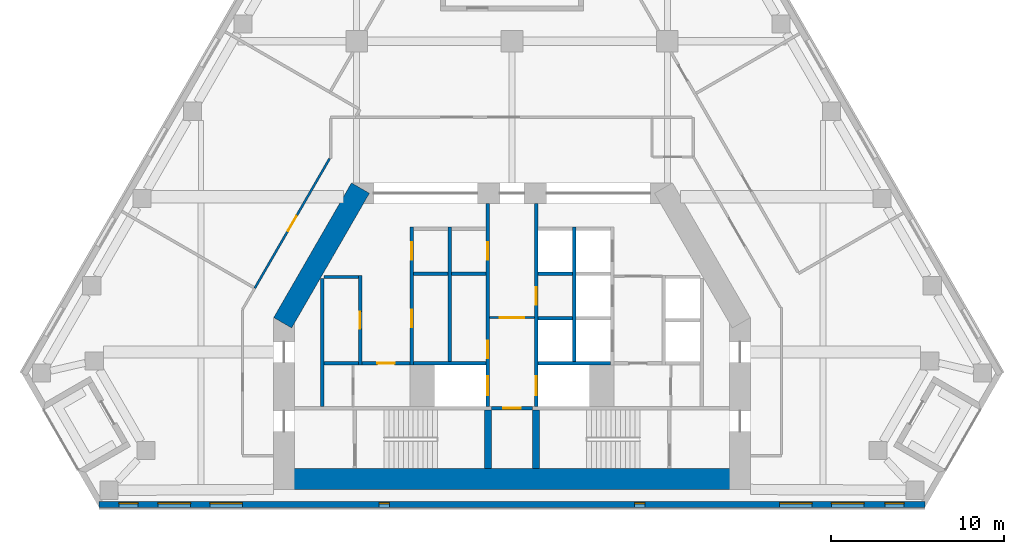
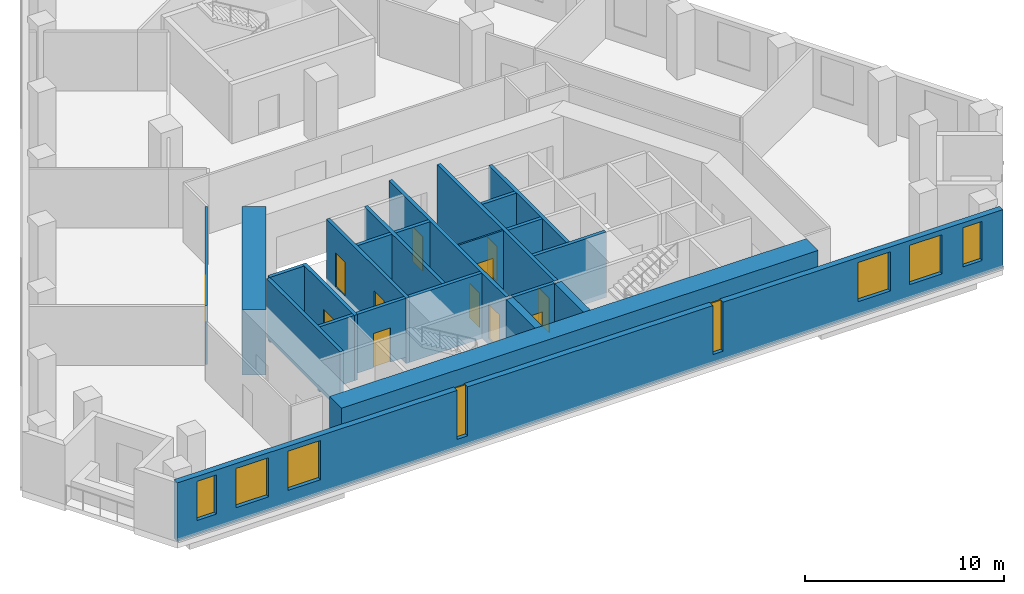
# One storey, part 3 of 7: 24 walls, 12 doors, 8 windows, 20 openings.
"""IFC4 building model written with IfcOpenShell, lengths in metres."""

from ifc_helpers import new_model, si_unit, direction, frame, frame_2d, origin, place, context, subcontext, project, spatial, rectangle, extrude, material, layer, layer_set, type_object, element, fill, save


model = new_model("IFC4")

# Units and contexts
model_context = context("Model", 3, precision=1e-05, world=origin(), true_north=direction((0.0, 1.0)))
body_context = subcontext(model_context, "Body", "Model", "MODEL_VIEW")
ifc_project = project(units=[si_unit("LENGTHUNIT", "METRE"), si_unit("AREAUNIT", "SQUARE_METRE"), si_unit("VOLUMEUNIT", "CUBIC_METRE"), si_unit("PLANEANGLEUNIT", "RADIAN"), si_unit("MASSUNIT", "GRAM", prefix="KILO")], contexts=[model_context])

# Site, building, storey
site_placement = place(None, origin())
site = spatial("IfcSite", under=ifc_project, at=site_placement, CompositionType="ELEMENT")
building_placement = place(site_placement, origin())
building = spatial("IfcBuilding", under=site, at=building_placement, Name="Fogline Exchange Tower", CompositionType="ELEMENT")
storey_placement = place(building_placement, frame((0.0, 0.0, 170.89990234375)))
storey = spatial("IfcBuildingStorey", under=building, at=storey_placement, Name="L38", CompositionType="ELEMENT", Elevation=170.89990234375)

# Wall, opening, door
ifc_material_1 = material(Name="Blockwork partition", Category="masonry")
ifc_layer_1 = layer(ifc_material_1, 0.10009765625)
ifc_layer_set_1 = layer_set([ifc_layer_1], Name="CW10")
wall_type_1 = type_object("IfcWallType", Name="CW10", PredefinedType="PARTITIONING", material=ifc_layer_set_1)
wall_1_placement = place(storey_placement, frame((-1.300048828125, 11.0, 0.0), z_axis=(0.0, 0.0, 1.0), x_axis=(1.0, 0.0, 0.0)))
wall_1 = element("IfcWall", 1, at=wall_1_placement, inside=storey, type_object=wall_type_1, Name="Lift lobby partition", PredefinedType="PARTITIONING", context=body_context, shape_type="SweptSolid", body=[
    extrude(rectangle(XDim=2.60009765625, YDim=0.10009765625, at=frame_2d((1.300048828125, 0.0))), origin(), (0.0, 0.0, 1.0), 3.60009765625),
])
opening_1_placement = place(wall_1_placement, frame((0.60009765625, 0.0, 0.0)))
opening_1 = element("IfcOpeningElement", 2, at=opening_1_placement, cuts=wall_1, Name="Opening T12-C019", PredefinedType="OPENING", context=body_context, shape_type="SweptSolid", body=[
    extrude(rectangle(XDim=1.39990234375, YDim=2.10009765625, at=frame_2d((0.699951171875, 1.050048828125))), frame((0.0, 0.06005859375, 0.0), z_axis=(0.0, -1.0, 0.0), x_axis=(1.0, 0.0, 0.0)), (0.0, 0.0, 1.0), 0.1201171875),
])
ifc_material_2 = material(Name="Steel and timber fire door", Category="steel")
door_type_1 = type_object("IfcDoorType", Name="D-LB1", OperationType="DOUBLE_DOOR_SINGLE_SWING", PredefinedType="DOOR", material=ifc_material_2)
door_1_placement = place(opening_1_placement, frame((1.39990234375, 0.0, 0.0), z_axis=(0.0, 0.0, 1.0), x_axis=(-1.0, 0.0, 0.0)))
door_1 = element("IfcDoor", 3, at=door_1_placement, inside=storey, type_object=door_type_1, Name="Door to firefighting lift lobby", OperationType="DOUBLE_DOOR_SINGLE_SWING", OverallHeight=2.10009765625, OverallWidth=1.39990234375, PredefinedType="DOOR", context=body_context, shape_type="SweptSolid", body=[
    extrude(rectangle(XDim=1.39990234375, YDim=2.10009765625, at=frame_2d((0.699951171875, 1.050048828125))), frame((0.0, 0.02490234375, 0.0), z_axis=(0.0, -1.0, 0.0), x_axis=(1.0, 0.0, 0.0)), (0.0, 0.0, 1.0), 0.050048828125),
])
fill(opening_1, door_1)

# Walls
ifc_material_3 = material(Name="Concrete C40", Category="concrete")
ifc_layer_2 = layer(ifc_material_3, 0.199951171875)
ifc_layer_set_2 = layer_set([ifc_layer_2], Name="CW20")
wall_type_2 = type_object("IfcWallType", Name="CW20", PredefinedType="SOLIDWALL", material=ifc_layer_set_2)
wall_2_placement = place(storey_placement, frame((-11.0, 5.85009765625, 0.0), z_axis=(0.0, 0.0, 1.0), x_axis=(0.0, 1.0, 0.0)))
element("IfcWall", 4, at=wall_2_placement, inside=storey, type_object=wall_type_2, Name="Service room wall", PredefinedType="SOLIDWALL", context=body_context, shape_type="SweptSolid", body=[
    extrude(rectangle(XDim=7.39990234375, YDim=0.199951171875, at=frame_2d((3.699951171875, 0.0))), origin(), (0.0, 0.0, 1.0), 3.60009765625),
])
for number, where, z_axis, x_axis, name in (
    (5, (-5.699951171875, 13.550048828125, 0.0), (0.0, 0.0, 1.0), (1.0, 0.0, 0.0), "Service room wall"),
    (6, (-3.5, 13.550048828125, 0.0), (0.0, 0.0, 1.0), (1.0, 0.0, 0.0), "Service room wall"),
):
    element("IfcWall", number, at=place(storey_placement, frame(where, z_axis=z_axis, x_axis=x_axis)), inside=storey, type_object=wall_type_2, Name=name, PredefinedType="SOLIDWALL", context=body_context, shape_type="SweptSolid", body=[
        extrude(rectangle(XDim=2.0, YDim=0.199951171875, at=frame_2d((1.0, 0.0))), origin(), (0.0, 0.0, 1.0), 3.60009765625),
    ])

# Wall, opening, door
wall_3_placement = place(storey_placement, frame((-8.699951171875, 8.35009765625, 0.0), z_axis=(0.0, 0.0, 1.0), x_axis=(1.0, 0.0, 0.0)))
wall_3 = element("IfcWall", 7, at=wall_3_placement, inside=storey, type_object=wall_type_2, Name="WC wall", PredefinedType="SOLIDWALL", context=body_context, shape_type="SweptSolid", body=[
    extrude(rectangle(XDim=2.800048828125, YDim=0.199951171875, at=frame_2d((1.39990234375, 0.0))), origin(), (0.0, 0.0, 1.0), 3.60009765625),
])
opening_2_placement = place(wall_3_placement, frame((0.89990234375, 0.0, 0.0)))
opening_2 = element("IfcOpeningElement", 8, at=opening_2_placement, cuts=wall_3, Name="Opening T12-C008", PredefinedType="OPENING", context=body_context, shape_type="SweptSolid", body=[
    extrude(rectangle(XDim=1.0, YDim=2.10009765625, at=frame_2d((0.5, 1.050048828125))), frame((0.0, 0.10986328125, 0.0), z_axis=(0.0, -1.0, 0.0), x_axis=(1.0, 0.0, 0.0)), (0.0, 0.0, 1.0), 0.219970703125),
])
door_type_2 = type_object("IfcDoorType", Name="D-WC1", OperationType="SINGLE_SWING_LEFT", PredefinedType="DOOR", material=ifc_material_2)
door_2_placement = place(opening_2_placement, frame((1.0, 0.0, 0.0), z_axis=(0.0, 0.0, 1.0), x_axis=(-1.0, 0.0, 0.0)))
door_2 = element("IfcDoor", 9, at=door_2_placement, inside=storey, type_object=door_type_2, Name="Door to Men's WC", OperationType="SINGLE_SWING_LEFT", OverallHeight=2.10009765625, OverallWidth=1.0, PredefinedType="DOOR", context=body_context, shape_type="SweptSolid", body=[
    extrude(rectangle(XDim=1.0, YDim=2.10009765625, at=frame_2d((0.5, 1.050048828125))), frame((0.0, 0.02490234375, 0.0), z_axis=(0.0, -1.0, 0.0), x_axis=(1.0, 0.0, 0.0)), (0.0, 0.0, 1.0), 0.050048828125),
])
fill(opening_2, door_2)

ifc_layer_3 = layer(ifc_material_3, 0.199951171875)
ifc_layer_set_3 = layer_set([ifc_layer_3], Name="CW20R")
wall_type_3 = type_object("IfcWallType", Name="CW20R", PredefinedType="SOLIDWALL", material=ifc_layer_set_3)
wall_4_placement = place(storey_placement, frame((-1.199951171875, 5.75, -0.39990234375), z_axis=(0.0, 0.0, 1.0), x_axis=(1.0, 0.0, 0.0)))
wall_4 = element("IfcWall", 10, at=wall_4_placement, inside=storey, type_object=wall_type_3, Name="Stair enclosure wall", PredefinedType="SOLIDWALL", context=body_context, shape_type="SweptSolid", body=[
    extrude(rectangle(XDim=2.39990234375, YDim=0.199951171875, at=frame_2d((1.199951171875, 0.0))), origin(), (0.0, 0.0, 1.0), 4.0),
])
opening_3_placement = place(wall_4_placement, frame((0.699951171875, 0.0, 0.39990234375)))
opening_3 = element("IfcOpeningElement", 11, at=opening_3_placement, cuts=wall_4, Name="Opening T12-C007", PredefinedType="OPENING", context=body_context, shape_type="SweptSolid", body=[
    extrude(rectangle(XDim=1.0, YDim=2.10009765625, at=frame_2d((0.5, 1.050048828125))), frame((0.0, 0.10986328125, 0.0), z_axis=(0.0, -1.0, 0.0), x_axis=(1.0, 0.0, 0.0)), (0.0, 0.0, 1.0), 0.219970703125),
])
door_type_3 = type_object("IfcDoorType", Name="D-RM1", OperationType="SINGLE_SWING_LEFT", PredefinedType="DOOR", material=ifc_material_2)
door_3_placement = place(opening_3_placement, frame((1.0, 0.0, 0.0), z_axis=(0.0, 0.0, 1.0), x_axis=(-1.0, 0.0, 0.0)))
door_3 = element("IfcDoor", 12, at=door_3_placement, inside=storey, type_object=door_type_3, Name="Door to Stationery Store", OperationType="SINGLE_SWING_RIGHT", OverallHeight=2.10009765625, OverallWidth=1.0, PredefinedType="DOOR", context=body_context, shape_type="SweptSolid", body=[
    extrude(rectangle(XDim=1.0, YDim=2.10009765625, at=frame_2d((0.5, 1.050048828125))), frame((0.0, 0.02490234375, 0.0), z_axis=(0.0, -1.0, 0.0), x_axis=(1.0, 0.0, 0.0)), (0.0, 0.0, 1.0), 0.050048828125),
])
fill(opening_3, door_3)

ifc_layer_4 = layer(ifc_material_3, 0.199951171875)
ifc_layer_set_4 = layer_set([ifc_layer_4], Name="CW20S")
wall_type_4 = type_object("IfcWallType", Name="CW20S", PredefinedType="SOLIDWALL", material=ifc_layer_set_4)
wall_5_placement = place(storey_placement, frame((-8.800048828125, 8.25, -0.39990234375), z_axis=(0.0, 0.0, 1.0), x_axis=(0.0, 1.0, 0.0)))
wall_5 = element("IfcWall", 13, at=wall_5_placement, inside=storey, type_object=wall_type_4, Name="Lift shaft wall", PredefinedType="SOLIDWALL", context=body_context, shape_type="SweptSolid", body=[
    extrude(rectangle(XDim=5.199951171875, YDim=0.199951171875, at=frame_2d((2.60009765625, 0.0))), origin(), (0.0, 0.0, 1.0), 4.0),
])
opening_4_placement = place(wall_5_placement, frame((2.10009765625, 0.0, 0.39990234375)))
opening_4 = element("IfcOpeningElement", 14, at=opening_4_placement, cuts=wall_5, Name="Opening T12-C001", PredefinedType="OPENING", context=body_context, shape_type="SweptSolid", body=[
    extrude(rectangle(XDim=1.0, YDim=2.10009765625, at=frame_2d((0.5, 1.050048828125))), frame((0.0, 0.10986328125, 0.0), z_axis=(0.0, -1.0, 0.0), x_axis=(1.0, 0.0, 0.0)), (0.0, 0.0, 1.0), 0.219970703125),
])
door_4_placement = place(opening_4_placement, origin())
door_4 = element("IfcDoor", 15, at=door_4_placement, inside=storey, type_object=door_type_3, Name="Door to Archive Room", OperationType="SINGLE_SWING_RIGHT", OverallHeight=2.10009765625, OverallWidth=1.0, PredefinedType="DOOR", context=body_context, shape_type="SweptSolid", body=[
    extrude(rectangle(XDim=1.0, YDim=2.10009765625, at=frame_2d((0.5, 1.050048828125))), frame((0.0, 0.02490234375, 0.0), z_axis=(0.0, -1.0, 0.0), x_axis=(1.0, 0.0, 0.0)), (0.0, 0.0, 1.0), 0.050048828125),
])
fill(opening_4, door_4)

# Wall, openings, doors
wall_6_placement = place(storey_placement, frame((-5.800048828125, 8.25, -0.39990234375), z_axis=(0.0, 0.0, 1.0), x_axis=(0.0, 1.0, 0.0)))
wall_6 = element("IfcWall", 16, at=wall_6_placement, inside=storey, type_object=wall_type_4, Name="Lift shaft wall", PredefinedType="SOLIDWALL", context=body_context, shape_type="SweptSolid", body=[
    extrude(rectangle(XDim=8.0, YDim=0.199951171875, at=frame_2d((4.0, 0.0))), origin(), (0.0, 0.0, 1.0), 4.0),
])
opening_5_placement = place(wall_6_placement, frame((2.199951171875, 0.0, 0.39990234375)))
opening_5 = element("IfcOpeningElement", 17, at=opening_5_placement, cuts=wall_6, Name="Opening T12-C002", PredefinedType="OPENING", context=body_context, shape_type="SweptSolid", body=[
    extrude(rectangle(XDim=1.0, YDim=2.10009765625, at=frame_2d((0.5, 1.050048828125))), frame((0.0, 0.10986328125, 0.0), z_axis=(0.0, -1.0, 0.0), x_axis=(1.0, 0.0, 0.0)), (0.0, 0.0, 1.0), 0.219970703125),
])
opening_6_placement = place(wall_6_placement, frame((6.10009765625, 0.0, 0.39990234375)))
opening_6 = element("IfcOpeningElement", 18, at=opening_6_placement, cuts=wall_6, Name="Opening T12-C003", PredefinedType="OPENING", context=body_context, shape_type="SweptSolid", body=[
    extrude(rectangle(XDim=1.0, YDim=2.10009765625, at=frame_2d((0.5, 1.050048828125))), frame((0.0, 0.10986328125, 0.0), z_axis=(0.0, -1.0, 0.0), x_axis=(1.0, 0.0, 0.0)), (0.0, 0.0, 1.0), 0.219970703125),
])
door_5_placement = place(opening_5_placement, frame((1.0, 0.0, 0.0), z_axis=(0.0, 0.0, 1.0), x_axis=(-1.0, 0.0, 0.0)))
door_5 = element("IfcDoor", 19, at=door_5_placement, inside=storey, type_object=door_type_3, Name="Door to Equipment Room", OperationType="SINGLE_SWING_LEFT", OverallHeight=2.10009765625, OverallWidth=1.0, PredefinedType="DOOR", context=body_context, shape_type="SweptSolid", body=[
    extrude(rectangle(XDim=1.0, YDim=2.10009765625, at=frame_2d((0.5, 1.050048828125))), frame((0.0, 0.02490234375, 0.0), z_axis=(0.0, -1.0, 0.0), x_axis=(1.0, 0.0, 0.0)), (0.0, 0.0, 1.0), 0.050048828125),
])
fill(opening_5, door_5)
door_6_placement = place(opening_6_placement, frame((1.0, 0.0, 0.0), z_axis=(0.0, 0.0, 1.0), x_axis=(-1.0, 0.0, 0.0)))
door_6 = element("IfcDoor", 20, at=door_6_placement, inside=storey, type_object=door_type_3, Name="Door to Server Room", OperationType="SINGLE_SWING_RIGHT", OverallHeight=2.10009765625, OverallWidth=1.0, PredefinedType="DOOR", context=body_context, shape_type="SweptSolid", body=[
    extrude(rectangle(XDim=1.0, YDim=2.10009765625, at=frame_2d((0.5, 1.050048828125))), frame((0.0, 0.02490234375, 0.0), z_axis=(0.0, -1.0, 0.0), x_axis=(1.0, 0.0, 0.0)), (0.0, 0.0, 1.0), 0.050048828125),
])
fill(opening_6, door_6)

# Walls
for number, where, z_axis, x_axis, name in (
    (21, (-3.60009765625, 8.449951171875, -0.39990234375), (0.0, 0.0, 1.0), (0.0, 1.0, 0.0), "Lift shaft wall"),
    (22, (3.60009765625, 8.449951171875, -0.39990234375), (0.0, 0.0, 1.0), (0.0, 1.0, 0.0), "Lift shaft wall"),
):
    element("IfcWall", number, at=place(storey_placement, frame(where, z_axis=z_axis, x_axis=x_axis)), inside=storey, type_object=wall_type_4, Name=name, PredefinedType="SOLIDWALL", context=body_context, shape_type="SweptSolid", body=[
        extrude(rectangle(XDim=7.800048828125, YDim=0.199951171875, at=frame_2d((3.89990234375, 0.0))), origin(), (0.0, 0.0, 1.0), 4.0),
    ])

# Wall, openings, doors
wall_7_placement = place(storey_placement, frame((-1.39990234375, 5.85009765625, -0.39990234375), z_axis=(0.0, 0.0, 1.0), x_axis=(0.0, 1.0, 0.0)))
wall_7 = element("IfcWall", 23, at=wall_7_placement, inside=storey, type_object=wall_type_4, Name="Lift lobby wall", PredefinedType="SOLIDWALL", context=body_context, shape_type="SweptSolid", body=[
    extrude(rectangle(XDim=11.75, YDim=0.199951171875, at=frame_2d((5.875, 0.0))), origin(), (0.0, 0.0, 1.0), 4.0),
])
opening_7_placement = place(wall_7_placement, frame((0.64990234375, 0.0, 0.39990234375)))
opening_7 = element("IfcOpeningElement", 24, at=opening_7_placement, cuts=wall_7, Name="Opening T12-LD01", PredefinedType="OPENING", context=body_context, shape_type="SweptSolid", body=[
    extrude(rectangle(XDim=1.10009765625, YDim=2.10009765625, at=frame_2d((0.550048828125, 1.050048828125))), frame((0.0, 0.10986328125, 0.0), z_axis=(0.0, -1.0, 0.0), x_axis=(1.0, 0.0, 0.0)), (0.0, 0.0, 1.0), 0.219970703125),
])
opening_8_placement = place(wall_7_placement, frame((2.800048828125, 0.0, 0.39990234375)))
opening_8 = element("IfcOpeningElement", 25, at=opening_8_placement, cuts=wall_7, Name="Opening T12-C004", PredefinedType="OPENING", context=body_context, shape_type="SweptSolid", body=[
    extrude(rectangle(XDim=1.0, YDim=2.10009765625, at=frame_2d((0.5, 1.050048828125))), frame((0.0, 0.10986328125, 0.0), z_axis=(0.0, -1.0, 0.0), x_axis=(1.0, 0.0, 0.0)), (0.0, 0.0, 1.0), 0.219970703125),
])
opening_9_placement = place(wall_7_placement, frame((8.5, 0.0, 0.39990234375)))
opening_9 = element("IfcOpeningElement", 26, at=opening_9_placement, cuts=wall_7, Name="Opening T12-C005", PredefinedType="OPENING", context=body_context, shape_type="SweptSolid", body=[
    extrude(rectangle(XDim=1.0, YDim=2.10009765625, at=frame_2d((0.5, 1.050048828125))), frame((0.0, 0.10986328125, 0.0), z_axis=(0.0, -1.0, 0.0), x_axis=(1.0, 0.0, 0.0)), (0.0, 0.0, 1.0), 0.219970703125),
])
door_7_placement = place(opening_8_placement, origin())
door_7 = element("IfcDoor", 27, at=door_7_placement, inside=storey, type_object=door_type_3, Name="Door to Library Store", OperationType="SINGLE_SWING_LEFT", OverallHeight=2.10009765625, OverallWidth=1.0, PredefinedType="DOOR", context=body_context, shape_type="SweptSolid", body=[
    extrude(rectangle(XDim=1.0, YDim=2.10009765625, at=frame_2d((0.5, 1.050048828125))), frame((0.0, 0.02490234375, 0.0), z_axis=(0.0, -1.0, 0.0), x_axis=(1.0, 0.0, 0.0)), (0.0, 0.0, 1.0), 0.050048828125),
])
fill(opening_8, door_7)
door_8_placement = place(opening_9_placement, origin())
door_8 = element("IfcDoor", 28, at=door_8_placement, inside=storey, type_object=door_type_3, Name="Door to Library Store", OperationType="SINGLE_SWING_LEFT", OverallHeight=2.10009765625, OverallWidth=1.0, PredefinedType="DOOR", context=body_context, shape_type="SweptSolid", body=[
    extrude(rectangle(XDim=1.0, YDim=2.10009765625, at=frame_2d((0.5, 1.050048828125))), frame((0.0, 0.02490234375, 0.0), z_axis=(0.0, -1.0, 0.0), x_axis=(1.0, 0.0, 0.0)), (0.0, 0.0, 1.0), 0.050048828125),
])
fill(opening_9, door_8)
door_type_4 = type_object("IfcDoorType", Name="LD2", OperationType="SLIDING_TO_RIGHT", PredefinedType="DOOR", material=ifc_material_2)
door_9_placement = place(opening_7_placement, origin())
door_9 = element("IfcDoor", 29, at=door_9_placement, inside=storey, type_object=door_type_4, Name="Landing door FF1", OperationType="SLIDING_TO_RIGHT", OverallHeight=2.10009765625, OverallWidth=1.10009765625, PredefinedType="DOOR", context=body_context, shape_type="SweptSolid", body=[
    extrude(rectangle(XDim=1.10009765625, YDim=2.10009765625, at=frame_2d((0.550048828125, 1.050048828125))), frame((0.0, 0.02490234375, 0.0), z_axis=(0.0, -1.0, 0.0), x_axis=(1.0, 0.0, 0.0)), (0.0, 0.0, 1.0), 0.050048828125),
])
fill(opening_7, door_9)

wall_8_placement = place(storey_placement, frame((1.39990234375, 5.85009765625, -0.39990234375), z_axis=(0.0, 0.0, 1.0), x_axis=(0.0, 1.0, 0.0)))
wall_8 = element("IfcWall", 30, at=wall_8_placement, inside=storey, type_object=wall_type_4, Name="Lift lobby wall", PredefinedType="SOLIDWALL", context=body_context, shape_type="SweptSolid", body=[
    extrude(rectangle(XDim=11.75, YDim=0.199951171875, at=frame_2d((5.875, 0.0))), origin(), (0.0, 0.0, 1.0), 4.0),
])
opening_10_placement = place(wall_8_placement, frame((0.64990234375, 0.0, 0.39990234375)))
opening_10 = element("IfcOpeningElement", 31, at=opening_10_placement, cuts=wall_8, Name="Opening T12-LD05", PredefinedType="OPENING", context=body_context, shape_type="SweptSolid", body=[
    extrude(rectangle(XDim=1.10009765625, YDim=2.10009765625, at=frame_2d((0.550048828125, 1.050048828125))), frame((0.0, 0.10986328125, 0.0), z_axis=(0.0, -1.0, 0.0), x_axis=(1.0, 0.0, 0.0)), (0.0, 0.0, 1.0), 0.219970703125),
])
opening_11_placement = place(wall_8_placement, frame((5.89990234375, 0.0, 0.39990234375)))
opening_11 = element("IfcOpeningElement", 32, at=opening_11_placement, cuts=wall_8, Name="Opening T12-C006", PredefinedType="OPENING", context=body_context, shape_type="SweptSolid", body=[
    extrude(rectangle(XDim=1.0, YDim=2.10009765625, at=frame_2d((0.5, 1.050048828125))), frame((0.0, 0.10986328125, 0.0), z_axis=(0.0, -1.0, 0.0), x_axis=(1.0, 0.0, 0.0)), (0.0, 0.0, 1.0), 0.219970703125),
])
door_10_placement = place(opening_11_placement, frame((1.0, 0.0, 0.0), z_axis=(0.0, 0.0, 1.0), x_axis=(-1.0, 0.0, 0.0)))
door_10 = element("IfcDoor", 33, at=door_10_placement, inside=storey, type_object=door_type_3, Name="Door to Plant Room", OperationType="SINGLE_SWING_RIGHT", OverallHeight=2.10009765625, OverallWidth=1.0, PredefinedType="DOOR", context=body_context, shape_type="SweptSolid", body=[
    extrude(rectangle(XDim=1.0, YDim=2.10009765625, at=frame_2d((0.5, 1.050048828125))), frame((0.0, 0.02490234375, 0.0), z_axis=(0.0, -1.0, 0.0), x_axis=(1.0, 0.0, 0.0)), (0.0, 0.0, 1.0), 0.050048828125),
])
fill(opening_11, door_10)
door_11_placement = place(opening_10_placement, origin())
door_11 = element("IfcDoor", 34, at=door_11_placement, inside=storey, type_object=door_type_4, Name="Landing door FF2", OperationType="SLIDING_TO_RIGHT", OverallHeight=2.10009765625, OverallWidth=1.10009765625, PredefinedType="DOOR", context=body_context, shape_type="SweptSolid", body=[
    extrude(rectangle(XDim=1.10009765625, YDim=2.10009765625, at=frame_2d((0.550048828125, 1.050048828125))), frame((0.0, 0.02490234375, 0.0), z_axis=(0.0, -1.0, 0.0), x_axis=(1.0, 0.0, 0.0)), (0.0, 0.0, 1.0), 0.050048828125),
])
fill(opening_10, door_11)

# Walls
wall_9_placement = place(storey_placement, frame((-10.89990234375, 8.35009765625, -0.39990234375), z_axis=(0.0, 0.0, 1.0), x_axis=(1.0, 0.0, 0.0)))
element("IfcWall", 35, at=wall_9_placement, inside=storey, type_object=wall_type_4, Name="Lift shaft wall", PredefinedType="SOLIDWALL", context=body_context, shape_type="SweptSolid", body=[
    extrude(rectangle(XDim=2.0, YDim=0.199951171875, at=frame_2d((1.0, 0.0))), origin(), (0.0, 0.0, 1.0), 4.0),
])
for number, where, z_axis, x_axis, name in (
    (36, (-5.699951171875, 8.35009765625, -0.39990234375), (0.0, 0.0, 1.0), (1.0, 0.0, 0.0), "Lift shaft wall"),
    (37, (1.5, 8.35009765625, -0.39990234375), (0.0, 0.0, 1.0), (1.0, 0.0, 0.0), "Lift shaft wall"),
):
    element("IfcWall", number, at=place(storey_placement, frame(where, z_axis=z_axis, x_axis=x_axis)), inside=storey, type_object=wall_type_4, Name=name, PredefinedType="SOLIDWALL", context=body_context, shape_type="SweptSolid", body=[
        extrude(rectangle(XDim=4.199951171875, YDim=0.199951171875, at=frame_2d((2.10009765625, 0.0))), origin(), (0.0, 0.0, 1.0), 4.0),
    ])
for number, where, z_axis, x_axis, name in (
    (38, (-10.89990234375, 13.35009765625, -0.39990234375), (0.0, 0.0, 1.0), (1.0, 0.0, 0.0), "Lift shaft wall"),
    (39, (1.5, 10.949951171875, -0.39990234375), (0.0, 0.0, 1.0), (1.0, 0.0, 0.0), "Lift shaft wall"),
    (40, (1.5, 13.550048828125, -0.39990234375), (0.0, 0.0, 1.0), (1.0, 0.0, 0.0), "Lift shaft wall"),
):
    element("IfcWall", number, at=place(storey_placement, frame(where, z_axis=z_axis, x_axis=x_axis)), inside=storey, type_object=wall_type_4, Name=name, PredefinedType="SOLIDWALL", context=body_context, shape_type="SweptSolid", body=[
        extrude(rectangle(XDim=2.0, YDim=0.199951171875, at=frame_2d((1.0, 0.0))), origin(), (0.0, 0.0, 1.0), 4.0),
    ])
ifc_layer_5 = layer(ifc_material_3, 0.39990234375)
ifc_layer_set_5 = layer_set([ifc_layer_5], Name="CW40R")
wall_type_5 = type_object("IfcWallType", Name="CW40R", PredefinedType="SOLIDWALL", material=ifc_layer_set_5)
for number, where, z_axis, x_axis, name in (
    (41, (-1.39990234375, 2.25, -0.39990234375), (0.0, 0.0, 1.0), (0.0, 1.0, 0.0), "Stair and lift shaft wall"),
    (42, (1.39990234375, 2.25, -0.39990234375), (0.0, 0.0, 1.0), (0.0, 1.0, 0.0), "Stair and lift shaft wall"),
):
    element("IfcWall", number, at=place(storey_placement, frame(where, z_axis=z_axis, x_axis=x_axis)), inside=storey, type_object=wall_type_5, Name=name, PredefinedType="SOLIDWALL", context=body_context, shape_type="SweptSolid", body=[
        extrude(rectangle(XDim=3.39990234375, YDim=0.39990234375, at=frame_2d((1.699951171875, 0.0))), origin(), (0.0, 0.0, 1.0), 4.0),
    ])

# Wall, openings, windows
ifc_material_4 = material(Name="Brick masonry", Category="masonry")
ifc_layer_6 = layer(ifc_material_4, 0.340087890625)
ifc_layer_set_6 = layer_set([ifc_layer_6], Name="FW1")
wall_type_6 = type_object("IfcWallType", Name="FW1", PredefinedType="SOLIDWALL", material=ifc_layer_set_6)
wall_10_placement = place(storey_placement, frame((-23.90380859375, 0.169921875, 0.0), z_axis=(0.0, 0.0, 1.0), x_axis=(1.0, 0.0, 0.0)))
wall_10 = element("IfcWall", 43, at=wall_10_placement, inside=storey, type_object=wall_type_6, Name="Brick wall L38 S", PredefinedType="SOLIDWALL", context=body_context, shape_type="SweptSolid", body=[
    extrude(rectangle(XDim=47.8076171875, YDim=0.340087890625, at=frame_2d((23.90380859375, 0.0))), origin(), (0.0, 0.0, 1.0), 3.60009765625),
])
opening_12_placement = place(wall_10_placement, frame((3.40380859375, 0.0, 0.89990234375)))
opening_12 = element("IfcOpeningElement", 44, at=opening_12_placement, cuts=wall_10, Name="Opening W1", PredefinedType="OPENING", context=body_context, shape_type="SweptSolid", body=[
    extrude(rectangle(XDim=1.885009765625, YDim=2.39990234375, at=frame_2d((0.9423828125, 1.199951171875))), frame((0.0, 0.18017578125, 0.0), z_axis=(0.0, -1.0, 0.0), x_axis=(1.0, 0.0, 0.0)), (0.0, 0.0, 1.0), 0.360107421875),
])
opening_13_placement = place(wall_10_placement, frame((6.40380859375, 0.0, 0.89990234375)))
opening_13 = element("IfcOpeningElement", 45, at=opening_13_placement, cuts=wall_10, Name="Opening W1", PredefinedType="OPENING", context=body_context, shape_type="SweptSolid", body=[
    extrude(rectangle(XDim=1.885009765625, YDim=2.39990234375, at=frame_2d((0.9423828125, 1.199951171875))), frame((0.0, 0.18017578125, 0.0), z_axis=(0.0, -1.0, 0.0), x_axis=(1.0, 0.0, 0.0)), (0.0, 0.0, 1.0), 0.360107421875),
])
opening_14_placement = place(wall_10_placement, frame((39.40380859375, 0.0, 0.89990234375)))
opening_14 = element("IfcOpeningElement", 46, at=opening_14_placement, cuts=wall_10, Name="Opening W1", PredefinedType="OPENING", context=body_context, shape_type="SweptSolid", body=[
    extrude(rectangle(XDim=1.885009765625, YDim=2.39990234375, at=frame_2d((0.9423828125, 1.199951171875))), frame((0.0, 0.18017578125, 0.0), z_axis=(0.0, -1.0, 0.0), x_axis=(1.0, 0.0, 0.0)), (0.0, 0.0, 1.0), 0.360107421875),
])
opening_15_placement = place(wall_10_placement, frame((42.40380859375, 0.0, 0.89990234375)))
opening_15 = element("IfcOpeningElement", 47, at=opening_15_placement, cuts=wall_10, Name="Opening W1", PredefinedType="OPENING", context=body_context, shape_type="SweptSolid", body=[
    extrude(rectangle(XDim=1.885009765625, YDim=2.39990234375, at=frame_2d((0.9423828125, 1.199951171875))), frame((0.0, 0.18017578125, 0.0), z_axis=(0.0, -1.0, 0.0), x_axis=(1.0, 0.0, 0.0)), (0.0, 0.0, 1.0), 0.360107421875),
])
opening_16_placement = place(wall_10_placement, frame((1.144287109375, 0.0, 0.89990234375)))
opening_16 = element("IfcOpeningElement", 48, at=opening_16_placement, cuts=wall_10, Name="Opening W4", PredefinedType="OPENING", context=body_context, shape_type="SweptSolid", body=[
    extrude(rectangle(XDim=1.114990234375, YDim=2.39990234375, at=frame_2d((0.5576171875, 1.199951171875))), frame((0.0, 0.18017578125, 0.0), z_axis=(0.0, -1.0, 0.0), x_axis=(1.0, 0.0, 0.0)), (0.0, 0.0, 1.0), 0.360107421875),
])
opening_17_placement = place(wall_10_placement, frame((45.490478515625, 0.0, 0.89990234375)))
opening_17 = element("IfcOpeningElement", 49, at=opening_17_placement, cuts=wall_10, Name="Opening W4", PredefinedType="OPENING", context=body_context, shape_type="SweptSolid", body=[
    extrude(rectangle(XDim=1.114990234375, YDim=2.39990234375, at=frame_2d((0.5576171875, 1.199951171875))), frame((0.0, 0.18017578125, 0.0), z_axis=(0.0, -1.0, 0.0), x_axis=(1.0, 0.0, 0.0)), (0.0, 0.0, 1.0), 0.360107421875),
])
opening_18_placement = place(wall_10_placement, frame((16.20361328125, 0.0, 0.60009765625)))
opening_18 = element("IfcOpeningElement", 50, at=opening_18_placement, cuts=wall_10, Name="Opening W5", PredefinedType="OPENING", context=body_context, shape_type="SweptSolid", body=[
    extrude(rectangle(XDim=0.60009765625, YDim=3.0, at=frame_2d((0.300048828125, 1.5))), frame((0.0, 0.18017578125, 0.0), z_axis=(0.0, -1.0, 0.0), x_axis=(1.0, 0.0, 0.0)), (0.0, 0.0, 1.0), 0.360107421875),
])
opening_19_placement = place(wall_10_placement, frame((31.003662109375, 0.0, 0.60009765625)))
opening_19 = element("IfcOpeningElement", 51, at=opening_19_placement, cuts=wall_10, Name="Opening W5", PredefinedType="OPENING", context=body_context, shape_type="SweptSolid", body=[
    extrude(rectangle(XDim=0.60009765625, YDim=3.0, at=frame_2d((0.300048828125, 1.5))), frame((0.0, 0.18017578125, 0.0), z_axis=(0.0, -1.0, 0.0), x_axis=(1.0, 0.0, 0.0)), (0.0, 0.0, 1.0), 0.360107421875),
])
ifc_material_5 = material(Name="Aluminium and glass", Category="aluminium")
window_type_1 = type_object("IfcWindowType", Name="W1", PartitioningType="SINGLE_PANEL", PredefinedType="WINDOW", material=ifc_material_5)
window_1_placement = place(opening_12_placement, origin())
window_1 = element("IfcWindow", 52, at=window_1_placement, inside=storey, type_object=window_type_1, Name="W1 W1", OverallHeight=2.39990234375, OverallWidth=1.885009765625, PartitioningType="SINGLE_PANEL", PredefinedType="WINDOW", context=body_context, shape_type="SweptSolid", body=[
    extrude(rectangle(XDim=1.885009765625, YDim=2.39990234375, at=frame_2d((0.9423828125, 1.199951171875))), frame((0.0, 0.110107421875, 0.0), z_axis=(0.0, -1.0, 0.0), x_axis=(1.0, 0.0, 0.0)), (0.0, 0.0, 1.0), 0.06005859375),
])
fill(opening_12, window_1)
window_2_placement = place(opening_13_placement, origin())
window_2 = element("IfcWindow", 53, at=window_2_placement, inside=storey, type_object=window_type_1, Name="W1 W1", OverallHeight=2.39990234375, OverallWidth=1.885009765625, PartitioningType="SINGLE_PANEL", PredefinedType="WINDOW", context=body_context, shape_type="SweptSolid", body=[
    extrude(rectangle(XDim=1.885009765625, YDim=2.39990234375, at=frame_2d((0.9423828125, 1.199951171875))), frame((0.0, 0.110107421875, 0.0), z_axis=(0.0, -1.0, 0.0), x_axis=(1.0, 0.0, 0.0)), (0.0, 0.0, 1.0), 0.06005859375),
])
fill(opening_13, window_2)
window_3_placement = place(opening_14_placement, origin())
window_3 = element("IfcWindow", 54, at=window_3_placement, inside=storey, type_object=window_type_1, Name="W1 W1", OverallHeight=2.39990234375, OverallWidth=1.885009765625, PartitioningType="SINGLE_PANEL", PredefinedType="WINDOW", context=body_context, shape_type="SweptSolid", body=[
    extrude(rectangle(XDim=1.885009765625, YDim=2.39990234375, at=frame_2d((0.9423828125, 1.199951171875))), frame((0.0, 0.110107421875, 0.0), z_axis=(0.0, -1.0, 0.0), x_axis=(1.0, 0.0, 0.0)), (0.0, 0.0, 1.0), 0.06005859375),
])
fill(opening_14, window_3)
window_4_placement = place(opening_15_placement, origin())
window_4 = element("IfcWindow", 55, at=window_4_placement, inside=storey, type_object=window_type_1, Name="W1 W1", OverallHeight=2.39990234375, OverallWidth=1.885009765625, PartitioningType="SINGLE_PANEL", PredefinedType="WINDOW", context=body_context, shape_type="SweptSolid", body=[
    extrude(rectangle(XDim=1.885009765625, YDim=2.39990234375, at=frame_2d((0.9423828125, 1.199951171875))), frame((0.0, 0.110107421875, 0.0), z_axis=(0.0, -1.0, 0.0), x_axis=(1.0, 0.0, 0.0)), (0.0, 0.0, 1.0), 0.06005859375),
])
fill(opening_15, window_4)
window_type_2 = type_object("IfcWindowType", Name="W4", PartitioningType="SINGLE_PANEL", PredefinedType="WINDOW", material=ifc_material_5)
window_5_placement = place(opening_16_placement, origin())
window_5 = element("IfcWindow", 56, at=window_5_placement, inside=storey, type_object=window_type_2, Name="W4 W4", OverallHeight=2.39990234375, OverallWidth=1.114990234375, PartitioningType="SINGLE_PANEL", PredefinedType="WINDOW", context=body_context, shape_type="SweptSolid", body=[
    extrude(rectangle(XDim=1.114990234375, YDim=2.39990234375, at=frame_2d((0.5576171875, 1.199951171875))), frame((0.0, 0.110107421875, 0.0), z_axis=(0.0, -1.0, 0.0), x_axis=(1.0, 0.0, 0.0)), (0.0, 0.0, 1.0), 0.06005859375),
])
fill(opening_16, window_5)
window_6_placement = place(opening_17_placement, origin())
window_6 = element("IfcWindow", 57, at=window_6_placement, inside=storey, type_object=window_type_2, Name="W4 W4", OverallHeight=2.39990234375, OverallWidth=1.114990234375, PartitioningType="SINGLE_PANEL", PredefinedType="WINDOW", context=body_context, shape_type="SweptSolid", body=[
    extrude(rectangle(XDim=1.114990234375, YDim=2.39990234375, at=frame_2d((0.5576171875, 1.199951171875))), frame((0.0, 0.110107421875, 0.0), z_axis=(0.0, -1.0, 0.0), x_axis=(1.0, 0.0, 0.0)), (0.0, 0.0, 1.0), 0.06005859375),
])
fill(opening_17, window_6)
window_type_3 = type_object("IfcWindowType", Name="W5", PartitioningType="SINGLE_PANEL", PredefinedType="WINDOW", material=ifc_material_5)
window_7_placement = place(opening_18_placement, origin())
window_7 = element("IfcWindow", 58, at=window_7_placement, inside=storey, type_object=window_type_3, Name="W5 W5", OverallHeight=3.0, OverallWidth=0.60009765625, PartitioningType="SINGLE_PANEL", PredefinedType="WINDOW", context=body_context, shape_type="SweptSolid", body=[
    extrude(rectangle(XDim=0.60009765625, YDim=3.0, at=frame_2d((0.300048828125, 1.5))), frame((0.0, 0.110107421875, 0.0), z_axis=(0.0, -1.0, 0.0), x_axis=(1.0, 0.0, 0.0)), (0.0, 0.0, 1.0), 0.06005859375),
])
fill(opening_18, window_7)
window_8_placement = place(opening_19_placement, origin())
window_8 = element("IfcWindow", 59, at=window_8_placement, inside=storey, type_object=window_type_3, Name="W5 W5", OverallHeight=3.0, OverallWidth=0.60009765625, PartitioningType="SINGLE_PANEL", PredefinedType="WINDOW", context=body_context, shape_type="SweptSolid", body=[
    extrude(rectangle(XDim=0.60009765625, YDim=3.0, at=frame_2d((0.300048828125, 1.5))), frame((0.0, 0.110107421875, 0.0), z_axis=(0.0, -1.0, 0.0), x_axis=(1.0, 0.0, 0.0)), (0.0, 0.0, 1.0), 0.06005859375),
])
fill(opening_19, window_8)

# Wall, opening, door
ifc_material_6 = material(Name="Plasterboard corridor partition with mineral wool, 2 layers each side")
ifc_layer_7 = layer(ifc_material_6, 0.125)
ifc_layer_set_7 = layer_set([ifc_layer_7], Name="PW2")
wall_type_7 = type_object("IfcWallType", Name="PW2", PredefinedType="PARTITIONING", material=ifc_layer_set_7)
wall_11_placement = place(storey_placement, frame((-14.892822265625, 12.706298828125, 0.0), z_axis=(0.0, 0.0, 1.0), x_axis=(0.500016908575, 0.866015641394, 0.0)))
wall_11 = element("IfcWall", 60, at=wall_11_placement, inside=storey, type_object=wall_type_7, Name="wall-L38-W009", PredefinedType="PARTITIONING", context=body_context, shape_type="SweptSolid", body=[
    extrude(rectangle(XDim=8.660400390625, YDim=0.125, at=frame_2d((4.330078125, 0.0))), origin(), (0.0, 0.0, 1.0), 3.60009765625),
])
opening_20_placement = place(wall_11_placement, frame((3.830322265625, 0.0, 0.0)))
opening_20 = element("IfcOpeningElement", 61, at=opening_20_placement, cuts=wall_11, Name="Opening T12-D005", PredefinedType="OPENING", context=body_context, shape_type="SweptSolid", body=[
    extrude(rectangle(XDim=1.0, YDim=2.10009765625, at=frame_2d((0.5, 1.050048828125))), frame((0.0, 0.072509765625, 0.0), z_axis=(0.0, -1.0, 0.0), x_axis=(1.0, 0.0, 0.0)), (0.0, 0.0, 1.0), 0.14501953125),
])
ifc_material_7 = material(Name="Fire-rated timber door leaf with steel frame", Category="steel")
door_type_5 = type_object("IfcDoorType", Name="D3", OperationType="SINGLE_SWING_LEFT", PredefinedType="DOOR", material=ifc_material_7)
door_12_placement = place(opening_20_placement, origin())
door_12 = element("IfcDoor", 62, at=door_12_placement, inside=storey, type_object=door_type_5, Name="door-L38-D005", OperationType="SINGLE_SWING_LEFT", OverallHeight=2.10009765625, OverallWidth=1.0, PredefinedType="DOOR", context=body_context, shape_type="SweptSolid", body=[
    extrude(rectangle(XDim=1.0, YDim=2.10009765625, at=frame_2d((0.5, 1.050048828125))), frame((0.0, 0.02490234375, 0.0), z_axis=(0.0, -1.0, 0.0), x_axis=(1.0, 0.0, 0.0)), (0.0, 0.0, 1.0), 0.050048828125),
])
fill(opening_20, door_12)

# Walls
ifc_material_8 = material(Name="Concrete C60", Category="concrete")
ifc_layer_8 = layer(ifc_material_8, 1.199951171875)
ifc_layer_set_8 = layer_set([ifc_layer_8], Name="SW02")
wall_type_8 = type_object("IfcWallType", Name="SW02", PredefinedType="SHEAR", material=ifc_layer_set_8)
wall_12_placement = place(storey_placement, frame((-13.800048828125, 1.64990234375, 0.0), z_axis=(0.0, 0.0, 1.0), x_axis=(1.0, 0.0, 0.0)))
element("IfcWall", 63, at=wall_12_placement, inside=storey, type_object=wall_type_8, Name="L38-W901", PredefinedType="SHEAR", context=body_context, shape_type="SweptSolid", body=[
    extrude(rectangle(XDim=27.60009765625, YDim=1.199951171875, at=frame_2d((13.800048828125, 0.0))), origin(), (0.0, 0.0, 1.0), 4.0),
])
wall_13_placement = place(storey_placement, frame((-8.776611328125, 18.5, 0.0), z_axis=(0.0, 0.0, 1.0), x_axis=(-0.499998513025, -0.866026262288, 0.0)))
element("IfcWall", 64, at=wall_13_placement, inside=storey, type_object=wall_type_8, Name="L38-W905", PredefinedType="SHEAR", context=body_context, shape_type="SweptSolid", body=[
    extrude(rectangle(XDim=9.0078125, YDim=1.199951171875, at=frame_2d((4.50390625, 0.0))), origin(), (0.0, 0.0, 1.0), 4.0),
])

save(model, "model.ifc")
